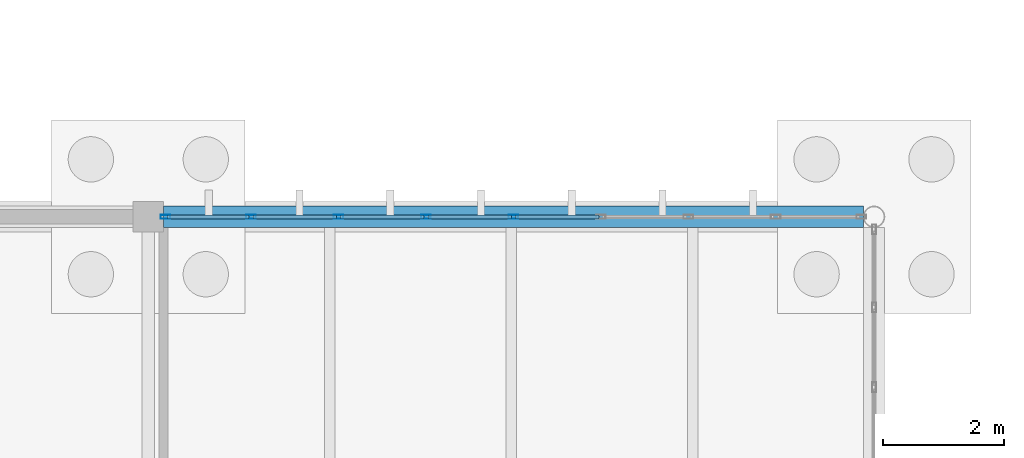
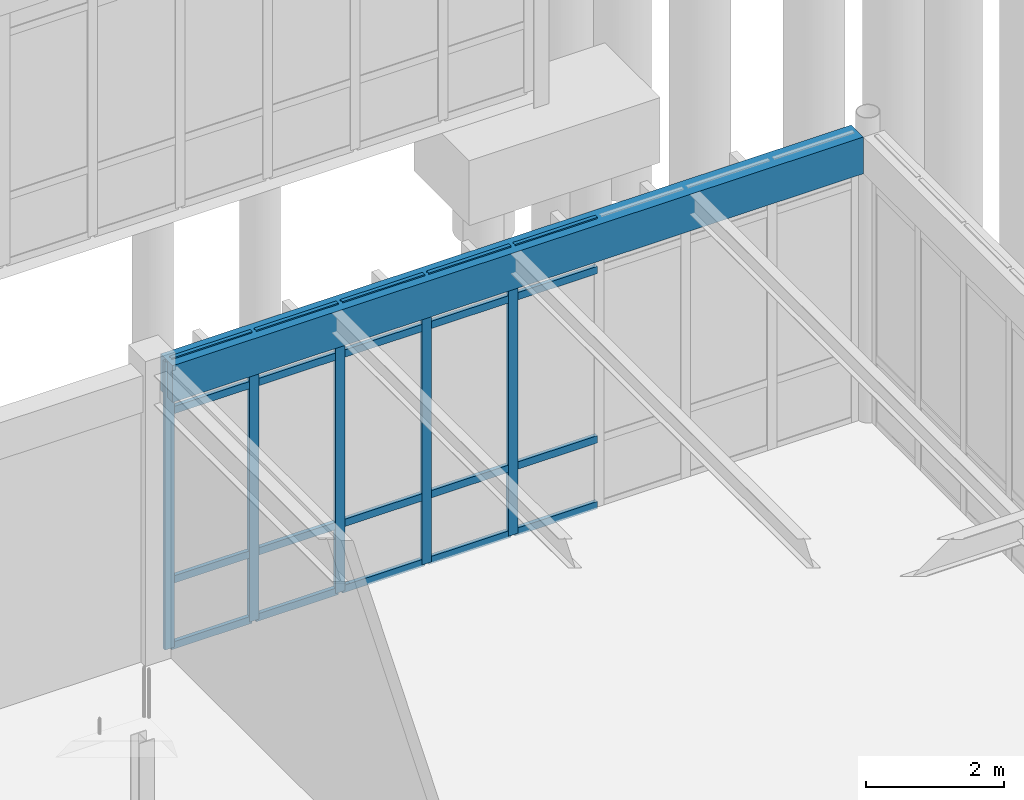
# One storey, part 31 of 188: 25 members, 1 beam, 1 element without a shape of its own.
"""IFC4 building model written with IfcOpenShell, lengths in metres."""

from ifc_helpers import new_model, si_unit, direction, frame, origin, origin_2d, place, context, subcontext, project, spatial, rectangle, hollow_rectangle, extrude, material, layer, layer_set, material_profile, profile_set, type_object, element, aggregate, save


model = new_model("IFC4")

# Units and contexts
model_context = context("Model", 3, precision=1e-05, world=origin(), true_north=direction((0.0, 1.0)))
body_context = subcontext(model_context, "Body", "Model", "MODEL_VIEW")
ifc_project = project(units=[si_unit("LENGTHUNIT", "METRE"), si_unit("AREAUNIT", "SQUARE_METRE"), si_unit("VOLUMEUNIT", "CUBIC_METRE"), si_unit("PLANEANGLEUNIT", "RADIAN"), si_unit("MASSUNIT", "GRAM", prefix="KILO")], contexts=[model_context])

# Site, building, storey
site_placement = place(None, origin())
site = spatial("IfcSite", under=ifc_project, at=site_placement, CompositionType="ELEMENT")
building_placement = place(site_placement, origin())
building = spatial("IfcBuilding", under=site, at=building_placement, Name="Pandanus Reach Market Hall", CompositionType="ELEMENT")
storey_placement = place(building_placement, origin())
storey = spatial("IfcBuildingStorey", under=building, at=storey_placement, Name="L00", CompositionType="ELEMENT", Elevation=0.0)

# Beam
ifc_material_1 = material(Name="Concrete N40 (40 MPa)", Category="concrete")
ifc_material_profile_1 = material_profile(ifc_material_1, rectangle(XDim=0.35009765625, YDim=0.64990234375, at=origin_2d()), Name="RC350x650", Category="LoadBearing")
ifc_profile_set_1 = profile_set([ifc_material_profile_1], Name="Concrete N40 (40 MPa)")
beam_type = type_object("IfcBeamType", Name="BM-RC350-E", PredefinedType="SPANDREL", material=ifc_profile_set_1)
beam_placement = place(storey_placement, frame((24.248046875, 28.800048828125, 4.784912109375), z_axis=(1.0, 0.0, 0.0), x_axis=(0.0, 1.0, 0.0)))
element("IfcBeam", 1, at=beam_placement, inside=storey, type_object=beam_type, Name="Framing beam BM-RC350-E L00.932", PredefinedType="SPANDREL", context=body_context, shape_type="SweptSolid", body=[
    extrude(rectangle(XDim=0.35009765625, YDim=0.64990234375, at=origin_2d()), origin(), (0.0, 0.0, 1.0), 11.576171875),
])

# Curtain wall, members
ifc_material_2 = material(Name="Bronze anodised aluminium and low-E glass", Category="aluminium")
ifc_layer = layer(ifc_material_2, 0.159912109375, Name="CW-12")
ifc_layer_set = layer_set([ifc_layer], Name="Bronze anodised aluminium and low-E glass")
curtain_wall_type = type_object("IfcCurtainWallType", Name="CW-12", PredefinedType="NOTDEFINED", material=ifc_layer_set)
curtain_wall_placement = place(storey_placement, origin())
curtain_wall = element("IfcCurtainWall", 2, at=curtain_wall_placement, inside=storey, type_object=curtain_wall_type, Name="Glazed curtain wall CW-12 CW-0050", PredefinedType="NOTDEFINED")
ifc_material_3 = material(Name="Bronze anodised aluminium", Category="aluminium")
ifc_material_profile_2 = material_profile(ifc_material_3, hollow_rectangle(XDim=0.06494140625, YDim=0.159912109375, WallThickness=0.00390625, at=origin_2d()), Name="ALU65x160", Category="LoadBearing")
ifc_profile_set_2 = profile_set([ifc_material_profile_2], Name="Bronze anodised aluminium")
member_type_1 = type_object("IfcMemberType", Name="CW-M1", PredefinedType="MULLION", material=ifc_profile_set_2)
member_1_placement = place(storey_placement, frame((24.282470703125, 28.800048828125, 0.0), z_axis=(0.0, 0.0, 1.0), x_axis=(0.0, 1.0, 0.0)))
member_1 = element("IfcMember", 3, at=member_1_placement, type_object=member_type_1, Name="CW-12 mullion 1", PredefinedType="MULLION", context=body_context, shape_type="SweptSolid", body=[
    extrude(hollow_rectangle(XDim=0.06494140625, YDim=0.159912109375, WallThickness=0.00390625, at=origin_2d()), origin(), (0.0, 0.0, 1.0), 5.10009765625),
])
member_2_placement = place(storey_placement, frame((25.696533203125, 28.800048828125, 0.0), z_axis=(0.0, 0.0, 1.0), x_axis=(0.0, 1.0, 0.0)))
member_2 = element("IfcMember", 4, at=member_2_placement, type_object=member_type_1, Name="CW-12 mullion 2", PredefinedType="MULLION", context=body_context, shape_type="SweptSolid", body=[
    extrude(hollow_rectangle(XDim=0.06494140625, YDim=0.159912109375, WallThickness=0.00390625, at=origin_2d()), origin(), (0.0, 0.0, 1.0), 5.10009765625),
])
member_3_placement = place(storey_placement, frame((27.14306640625, 28.800048828125, 0.0), z_axis=(0.0, 0.0, 1.0), x_axis=(0.0, 1.0, 0.0)))
member_3 = element("IfcMember", 5, at=member_3_placement, type_object=member_type_1, Name="CW-12 mullion 3", PredefinedType="MULLION", context=body_context, shape_type="SweptSolid", body=[
    extrude(hollow_rectangle(XDim=0.06494140625, YDim=0.159912109375, WallThickness=0.00390625, at=origin_2d()), origin(), (0.0, 0.0, 1.0), 5.10009765625),
])
member_4_placement = place(storey_placement, frame((28.589599609375, 28.800048828125, 0.0), z_axis=(0.0, 0.0, 1.0), x_axis=(0.0, 1.0, 0.0)))
member_4 = element("IfcMember", 6, at=member_4_placement, type_object=member_type_1, Name="CW-12 mullion 4", PredefinedType="MULLION", context=body_context, shape_type="SweptSolid", body=[
    extrude(hollow_rectangle(XDim=0.06494140625, YDim=0.159912109375, WallThickness=0.00390625, at=origin_2d()), origin(), (0.0, 0.0, 1.0), 5.10009765625),
])
member_5_placement = place(storey_placement, frame((30.0361328125, 28.800048828125, 0.0), z_axis=(0.0, 0.0, 1.0), x_axis=(0.0, 1.0, 0.0)))
member_5 = element("IfcMember", 7, at=member_5_placement, type_object=member_type_1, Name="CW-12 mullion 5", PredefinedType="MULLION", context=body_context, shape_type="SweptSolid", body=[
    extrude(hollow_rectangle(XDim=0.06494140625, YDim=0.159912109375, WallThickness=0.00390625, at=origin_2d()), origin(), (0.0, 0.0, 1.0), 5.10009765625),
])
ifc_material_profile_3 = material_profile(ifc_material_3, hollow_rectangle(XDim=0.06494140625, YDim=0.1298828125, WallThickness=0.00390625, at=origin_2d()), Name="ALU65x130", Category="LoadBearing")
ifc_profile_set_3 = profile_set([ifc_material_profile_3], Name="Bronze anodised aluminium")
member_type_2 = type_object("IfcMemberType", Name="CW-T1", PredefinedType="USERDEFINED", material=ifc_profile_set_3)
member_6_placement = place(storey_placement, frame((24.31494140625, 28.800048828125, 0.032470703125), z_axis=(1.0, 0.0, 0.0), x_axis=(0.0, 1.0, 0.0)))
member_6 = element("IfcMember", 8, at=member_6_placement, type_object=member_type_2, Name="CW-12 transom 1.1", ObjectType="TRANSOM", PredefinedType="USERDEFINED", context=body_context, shape_type="SweptSolid", body=[
    extrude(hollow_rectangle(XDim=0.06494140625, YDim=0.1298828125, WallThickness=0.00390625, at=origin_2d()), origin(), (0.0, 0.0, 1.0), 1.34912109375),
])
member_7_placement = place(storey_placement, frame((24.31494140625, 28.800048828125, 1.199951171875), z_axis=(1.0, 0.0, 0.0), x_axis=(0.0, 1.0, 0.0)))
member_7 = element("IfcMember", 9, at=member_7_placement, type_object=member_type_2, Name="CW-12 transom 1.2", ObjectType="TRANSOM", PredefinedType="USERDEFINED", context=body_context, shape_type="SweptSolid", body=[
    extrude(hollow_rectangle(XDim=0.06494140625, YDim=0.1298828125, WallThickness=0.00390625, at=origin_2d()), origin(), (0.0, 0.0, 1.0), 1.34912109375),
])
member_8_placement = place(storey_placement, frame((24.31494140625, 28.800048828125, 4.199951171875), z_axis=(1.0, 0.0, 0.0), x_axis=(0.0, 1.0, 0.0)))
member_8 = element("IfcMember", 10, at=member_8_placement, type_object=member_type_2, Name="CW-12 transom 1.3", ObjectType="TRANSOM", PredefinedType="USERDEFINED", context=body_context, shape_type="SweptSolid", body=[
    extrude(hollow_rectangle(XDim=0.06494140625, YDim=0.1298828125, WallThickness=0.00390625, at=origin_2d()), origin(), (0.0, 0.0, 1.0), 1.34912109375),
])
member_9_placement = place(storey_placement, frame((24.31494140625, 28.800048828125, 5.0673828125), z_axis=(1.0, 0.0, 0.0), x_axis=(0.0, 1.0, 0.0)))
member_9 = element("IfcMember", 11, at=member_9_placement, type_object=member_type_2, Name="CW-12 transom 1.4", ObjectType="TRANSOM", PredefinedType="USERDEFINED", context=body_context, shape_type="SweptSolid", body=[
    extrude(hollow_rectangle(XDim=0.06494140625, YDim=0.1298828125, WallThickness=0.00390625, at=origin_2d()), origin(), (0.0, 0.0, 1.0), 1.34912109375),
])
member_10_placement = place(storey_placement, frame((25.72900390625, 28.800048828125, 0.032470703125), z_axis=(1.0, 0.0, 0.0), x_axis=(0.0, 1.0, 0.0)))
member_10 = element("IfcMember", 12, at=member_10_placement, type_object=member_type_2, Name="CW-12 transom 2.1", ObjectType="TRANSOM", PredefinedType="USERDEFINED", context=body_context, shape_type="SweptSolid", body=[
    extrude(hollow_rectangle(XDim=0.06494140625, YDim=0.1298828125, WallThickness=0.00390625, at=origin_2d()), origin(), (0.0, 0.0, 1.0), 1.381591796875),
])
member_11_placement = place(storey_placement, frame((25.72900390625, 28.800048828125, 1.199951171875), z_axis=(1.0, 0.0, 0.0), x_axis=(0.0, 1.0, 0.0)))
member_11 = element("IfcMember", 13, at=member_11_placement, type_object=member_type_2, Name="CW-12 transom 2.2", ObjectType="TRANSOM", PredefinedType="USERDEFINED", context=body_context, shape_type="SweptSolid", body=[
    extrude(hollow_rectangle(XDim=0.06494140625, YDim=0.1298828125, WallThickness=0.00390625, at=origin_2d()), origin(), (0.0, 0.0, 1.0), 1.381591796875),
])
member_12_placement = place(storey_placement, frame((25.72900390625, 28.800048828125, 4.199951171875), z_axis=(1.0, 0.0, 0.0), x_axis=(0.0, 1.0, 0.0)))
member_12 = element("IfcMember", 14, at=member_12_placement, type_object=member_type_2, Name="CW-12 transom 2.3", ObjectType="TRANSOM", PredefinedType="USERDEFINED", context=body_context, shape_type="SweptSolid", body=[
    extrude(hollow_rectangle(XDim=0.06494140625, YDim=0.1298828125, WallThickness=0.00390625, at=origin_2d()), origin(), (0.0, 0.0, 1.0), 1.381591796875),
])
member_13_placement = place(storey_placement, frame((25.72900390625, 28.800048828125, 5.0673828125), z_axis=(1.0, 0.0, 0.0), x_axis=(0.0, 1.0, 0.0)))
member_13 = element("IfcMember", 15, at=member_13_placement, type_object=member_type_2, Name="CW-12 transom 2.4", ObjectType="TRANSOM", PredefinedType="USERDEFINED", context=body_context, shape_type="SweptSolid", body=[
    extrude(hollow_rectangle(XDim=0.06494140625, YDim=0.1298828125, WallThickness=0.00390625, at=origin_2d()), origin(), (0.0, 0.0, 1.0), 1.381591796875),
])
member_14_placement = place(storey_placement, frame((27.175537109375, 28.800048828125, 0.032470703125), z_axis=(1.0, 0.0, 0.0), x_axis=(0.0, 1.0, 0.0)))
member_14 = element("IfcMember", 16, at=member_14_placement, type_object=member_type_2, Name="CW-12 transom 3.1", ObjectType="TRANSOM", PredefinedType="USERDEFINED", context=body_context, shape_type="SweptSolid", body=[
    extrude(hollow_rectangle(XDim=0.06494140625, YDim=0.1298828125, WallThickness=0.00390625, at=origin_2d()), origin(), (0.0, 0.0, 1.0), 1.381591796875),
])
member_15_placement = place(storey_placement, frame((27.175537109375, 28.800048828125, 1.199951171875), z_axis=(1.0, 0.0, 0.0), x_axis=(0.0, 1.0, 0.0)))
member_15 = element("IfcMember", 17, at=member_15_placement, type_object=member_type_2, Name="CW-12 transom 3.2", ObjectType="TRANSOM", PredefinedType="USERDEFINED", context=body_context, shape_type="SweptSolid", body=[
    extrude(hollow_rectangle(XDim=0.06494140625, YDim=0.1298828125, WallThickness=0.00390625, at=origin_2d()), origin(), (0.0, 0.0, 1.0), 1.381591796875),
])
member_16_placement = place(storey_placement, frame((27.175537109375, 28.800048828125, 4.199951171875), z_axis=(1.0, 0.0, 0.0), x_axis=(0.0, 1.0, 0.0)))
member_16 = element("IfcMember", 18, at=member_16_placement, type_object=member_type_2, Name="CW-12 transom 3.3", ObjectType="TRANSOM", PredefinedType="USERDEFINED", context=body_context, shape_type="SweptSolid", body=[
    extrude(hollow_rectangle(XDim=0.06494140625, YDim=0.1298828125, WallThickness=0.00390625, at=origin_2d()), origin(), (0.0, 0.0, 1.0), 1.381591796875),
])
member_17_placement = place(storey_placement, frame((27.175537109375, 28.800048828125, 5.0673828125), z_axis=(1.0, 0.0, 0.0), x_axis=(0.0, 1.0, 0.0)))
member_17 = element("IfcMember", 19, at=member_17_placement, type_object=member_type_2, Name="CW-12 transom 3.4", ObjectType="TRANSOM", PredefinedType="USERDEFINED", context=body_context, shape_type="SweptSolid", body=[
    extrude(hollow_rectangle(XDim=0.06494140625, YDim=0.1298828125, WallThickness=0.00390625, at=origin_2d()), origin(), (0.0, 0.0, 1.0), 1.381591796875),
])
member_18_placement = place(storey_placement, frame((28.6220703125, 28.800048828125, 0.032470703125), z_axis=(1.0, 0.0, 0.0), x_axis=(0.0, 1.0, 0.0)))
member_18 = element("IfcMember", 20, at=member_18_placement, type_object=member_type_2, Name="CW-12 transom 4.1", ObjectType="TRANSOM", PredefinedType="USERDEFINED", context=body_context, shape_type="SweptSolid", body=[
    extrude(hollow_rectangle(XDim=0.06494140625, YDim=0.1298828125, WallThickness=0.00390625, at=origin_2d()), origin(), (0.0, 0.0, 1.0), 1.381591796875),
])
member_19_placement = place(storey_placement, frame((28.6220703125, 28.800048828125, 1.199951171875), z_axis=(1.0, 0.0, 0.0), x_axis=(0.0, 1.0, 0.0)))
member_19 = element("IfcMember", 21, at=member_19_placement, type_object=member_type_2, Name="CW-12 transom 4.2", ObjectType="TRANSOM", PredefinedType="USERDEFINED", context=body_context, shape_type="SweptSolid", body=[
    extrude(hollow_rectangle(XDim=0.06494140625, YDim=0.1298828125, WallThickness=0.00390625, at=origin_2d()), origin(), (0.0, 0.0, 1.0), 1.381591796875),
])
member_20_placement = place(storey_placement, frame((28.6220703125, 28.800048828125, 4.199951171875), z_axis=(1.0, 0.0, 0.0), x_axis=(0.0, 1.0, 0.0)))
member_20 = element("IfcMember", 22, at=member_20_placement, type_object=member_type_2, Name="CW-12 transom 4.3", ObjectType="TRANSOM", PredefinedType="USERDEFINED", context=body_context, shape_type="SweptSolid", body=[
    extrude(hollow_rectangle(XDim=0.06494140625, YDim=0.1298828125, WallThickness=0.00390625, at=origin_2d()), origin(), (0.0, 0.0, 1.0), 1.381591796875),
])
member_21_placement = place(storey_placement, frame((28.6220703125, 28.800048828125, 5.0673828125), z_axis=(1.0, 0.0, 0.0), x_axis=(0.0, 1.0, 0.0)))
member_21 = element("IfcMember", 23, at=member_21_placement, type_object=member_type_2, Name="CW-12 transom 4.4", ObjectType="TRANSOM", PredefinedType="USERDEFINED", context=body_context, shape_type="SweptSolid", body=[
    extrude(hollow_rectangle(XDim=0.06494140625, YDim=0.1298828125, WallThickness=0.00390625, at=origin_2d()), origin(), (0.0, 0.0, 1.0), 1.381591796875),
])
member_22_placement = place(storey_placement, frame((30.068603515625, 28.800048828125, 0.032470703125), z_axis=(1.0, 0.0, 0.0), x_axis=(0.0, 1.0, 0.0)))
member_22 = element("IfcMember", 24, at=member_22_placement, type_object=member_type_2, Name="CW-12 transom 5.1", ObjectType="TRANSOM", PredefinedType="USERDEFINED", context=body_context, shape_type="SweptSolid", body=[
    extrude(hollow_rectangle(XDim=0.06494140625, YDim=0.1298828125, WallThickness=0.00390625, at=origin_2d()), origin(), (0.0, 0.0, 1.0), 1.381591796875),
])
member_23_placement = place(storey_placement, frame((30.068603515625, 28.800048828125, 1.199951171875), z_axis=(1.0, 0.0, 0.0), x_axis=(0.0, 1.0, 0.0)))
member_23 = element("IfcMember", 25, at=member_23_placement, type_object=member_type_2, Name="CW-12 transom 5.2", ObjectType="TRANSOM", PredefinedType="USERDEFINED", context=body_context, shape_type="SweptSolid", body=[
    extrude(hollow_rectangle(XDim=0.06494140625, YDim=0.1298828125, WallThickness=0.00390625, at=origin_2d()), origin(), (0.0, 0.0, 1.0), 1.381591796875),
])
member_24_placement = place(storey_placement, frame((30.068603515625, 28.800048828125, 4.199951171875), z_axis=(1.0, 0.0, 0.0), x_axis=(0.0, 1.0, 0.0)))
member_24 = element("IfcMember", 26, at=member_24_placement, type_object=member_type_2, Name="CW-12 transom 5.3", ObjectType="TRANSOM", PredefinedType="USERDEFINED", context=body_context, shape_type="SweptSolid", body=[
    extrude(hollow_rectangle(XDim=0.06494140625, YDim=0.1298828125, WallThickness=0.00390625, at=origin_2d()), origin(), (0.0, 0.0, 1.0), 1.381591796875),
])
member_25_placement = place(storey_placement, frame((30.068603515625, 28.800048828125, 5.0673828125), z_axis=(1.0, 0.0, 0.0), x_axis=(0.0, 1.0, 0.0)))
member_25 = element("IfcMember", 27, at=member_25_placement, type_object=member_type_2, Name="CW-12 transom 5.4", ObjectType="TRANSOM", PredefinedType="USERDEFINED", context=body_context, shape_type="SweptSolid", body=[
    extrude(hollow_rectangle(XDim=0.06494140625, YDim=0.1298828125, WallThickness=0.00390625, at=origin_2d()), origin(), (0.0, 0.0, 1.0), 1.381591796875),
])
aggregate(curtain_wall, [member_1, member_2, member_3, member_4, member_5, member_6, member_7, member_8, member_9, member_10, member_11, member_12, member_13, member_14, member_15, member_16, member_17, member_18, member_19, member_20, member_21, member_22, member_23, member_24, member_25])

save(model, "model.ifc")
